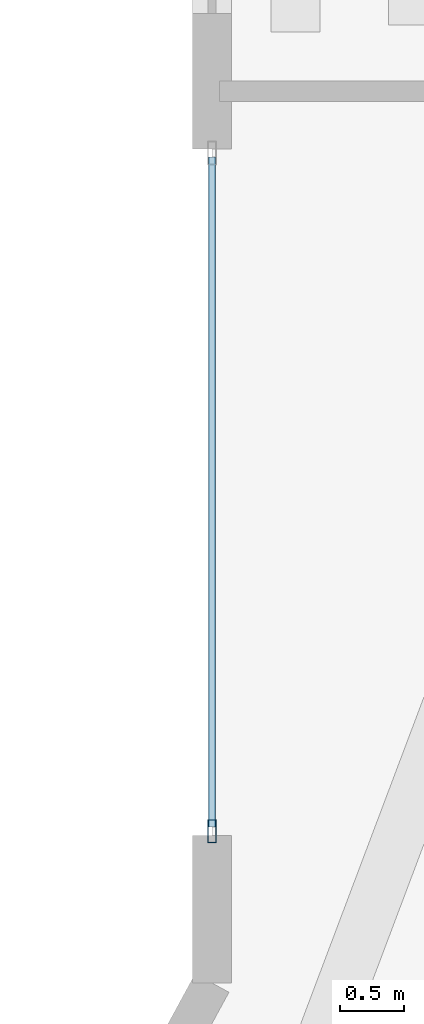
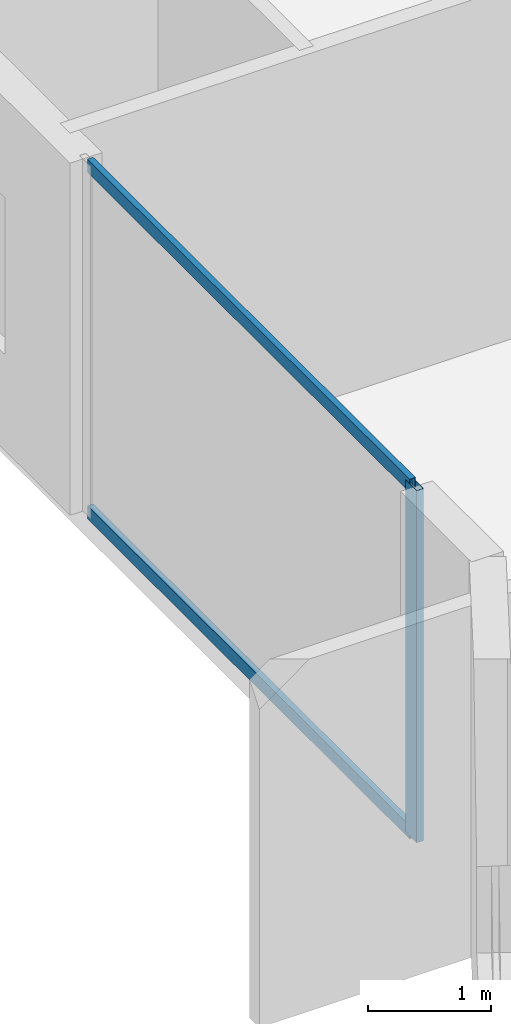
# One storey, part 7 of 28: 3 members, 1 element without a shape of its own.
"""IFC4 building model written with IfcOpenShell, lengths in metres."""

from ifc_helpers import new_model, si_unit, direction, frame, origin, origin_2d, place, context, subcontext, project, spatial, hollow_rectangle, extrude, material, layer, layer_set, material_profile, profile_set, type_object, element, aggregate, save


model = new_model("IFC4")

# Units and contexts
model_context = context("Model", 3, precision=1e-05, world=origin(), true_north=direction((0.0, 1.0)))
body_context = subcontext(model_context, "Body", "Model", "MODEL_VIEW")
ifc_project = project(units=[si_unit("LENGTHUNIT", "METRE"), si_unit("AREAUNIT", "SQUARE_METRE"), si_unit("VOLUMEUNIT", "CUBIC_METRE"), si_unit("PLANEANGLEUNIT", "RADIAN"), si_unit("MASSUNIT", "GRAM", prefix="KILO")], contexts=[model_context])

# Site, building, storey
site_placement = place(None, origin())
site = spatial("IfcSite", under=ifc_project, at=site_placement, CompositionType="ELEMENT")
building_placement = place(site_placement, origin())
building = spatial("IfcBuilding", under=site, at=building_placement, Name="Zuhayl Quay Hotel", CompositionType="ELEMENT")
storey_placement = place(building_placement, frame((0.0, 0.0, 239.64990234375)))
storey = spatial("IfcBuildingStorey", under=building, at=storey_placement, Name="L60", CompositionType="ELEMENT", Elevation=239.64990234375)

# Curtain wall, members
ifc_material_1 = material(Name="Anodised Aluminium 6063-T6", Category="aluminium")
ifc_layer = layer(ifc_material_1, 0.169921875, Name="Anodised Aluminium 6063-T6", Category="aluminium")
ifc_layer_set = layer_set([ifc_layer], Name="Anodised Aluminium 6063-T6")
curtain_wall_type = type_object("IfcCurtainWallType", Name="CW_SYS_Z4", PredefinedType="USERDEFINED", material=ifc_layer_set)
curtain_wall_placement = place(storey_placement, origin())
curtain_wall = element("IfcCurtainWall", 1, at=curtain_wall_placement, inside=storey, type_object=curtain_wall_type, Name="L60 Curtain Wall ENV_L60_E05_CW1", ObjectType="UNITISED CURTAIN WALL", PredefinedType="USERDEFINED")
ifc_material_2 = material(Name="Black-anodised aluminium 6063-T6", Category="aluminium")
ifc_material_profile_1 = material_profile(ifc_material_2, hollow_rectangle(XDim=0.06494140625, YDim=0.179931640625, WallThickness=0.00341796875, at=origin_2d()), Name="ALU180X65")
ifc_profile_set_1 = profile_set([ifc_material_profile_1], Name="Black-anodised aluminium 6063-T6")
member_type_1 = type_object("IfcMemberType", Name="MB_CW_MUL_180", PredefinedType="MULLION", material=ifc_profile_set_1)
member_1_placement = place(storey_placement, frame((-20.199951171875, 25.282470703125, 0.0), z_axis=(0.0, 0.0, 1.0), x_axis=(-1.0, 0.0, 0.0)))
member_1 = element("IfcMember", 2, at=member_1_placement, type_object=member_type_1, Name="CW-Z4 mullion 1", PredefinedType="MULLION", context=body_context, shape_type="SweptSolid", body=[
    extrude(hollow_rectangle(XDim=0.06494140625, YDim=0.179931640625, WallThickness=0.00341796875, at=origin_2d()), origin(), (0.0, 0.0, 1.0), 3.47998046875),
])
ifc_material_profile_2 = material_profile(ifc_material_2, hollow_rectangle(XDim=0.054931640625, YDim=0.1298828125, WallThickness=0.0029296875, at=origin_2d()), Name="ALU130X55")
ifc_profile_set_2 = profile_set([ifc_material_profile_2], Name="Black-anodised aluminium 6063-T6")
member_type_2 = type_object("IfcMemberType", Name="MB_CW_TRN_130", PredefinedType="USERDEFINED", material=ifc_profile_set_2)
member_2_placement = place(storey_placement, frame((-20.199951171875, 25.31494140625, 0.027587890625), z_axis=(0.0, 1.0, 0.0), x_axis=(-1.0, 0.0, 0.0)))
member_2 = element("IfcMember", 3, at=member_2_placement, type_object=member_type_2, Name="CW-Z4 transom 1.1", ObjectType="TRANSOM", PredefinedType="USERDEFINED", context=body_context, shape_type="SweptSolid", body=[
    extrude(hollow_rectangle(XDim=0.054931640625, YDim=0.1298828125, WallThickness=0.0029296875, at=origin_2d()), origin(), (0.0, 0.0, 1.0), 5.219970703125),
])
member_3_placement = place(storey_placement, frame((-20.199951171875, 25.31494140625, 3.45263671875), z_axis=(0.0, 1.0, 0.0), x_axis=(-1.0, 0.0, 0.0)))
member_3 = element("IfcMember", 4, at=member_3_placement, type_object=member_type_2, Name="CW-Z4 transom 1.2", ObjectType="TRANSOM", PredefinedType="USERDEFINED", context=body_context, shape_type="SweptSolid", body=[
    extrude(hollow_rectangle(XDim=0.054931640625, YDim=0.1298828125, WallThickness=0.0029296875, at=origin_2d()), origin(), (0.0, 0.0, 1.0), 5.219970703125),
])
aggregate(curtain_wall, [member_1, member_2, member_3])

save(model, "model.ifc")
